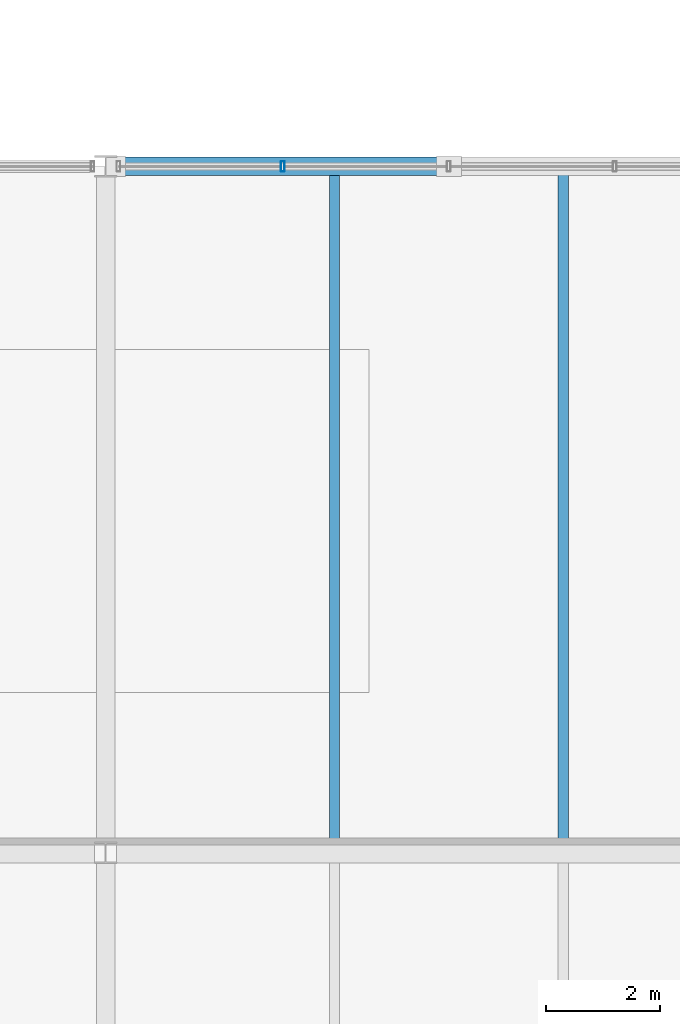
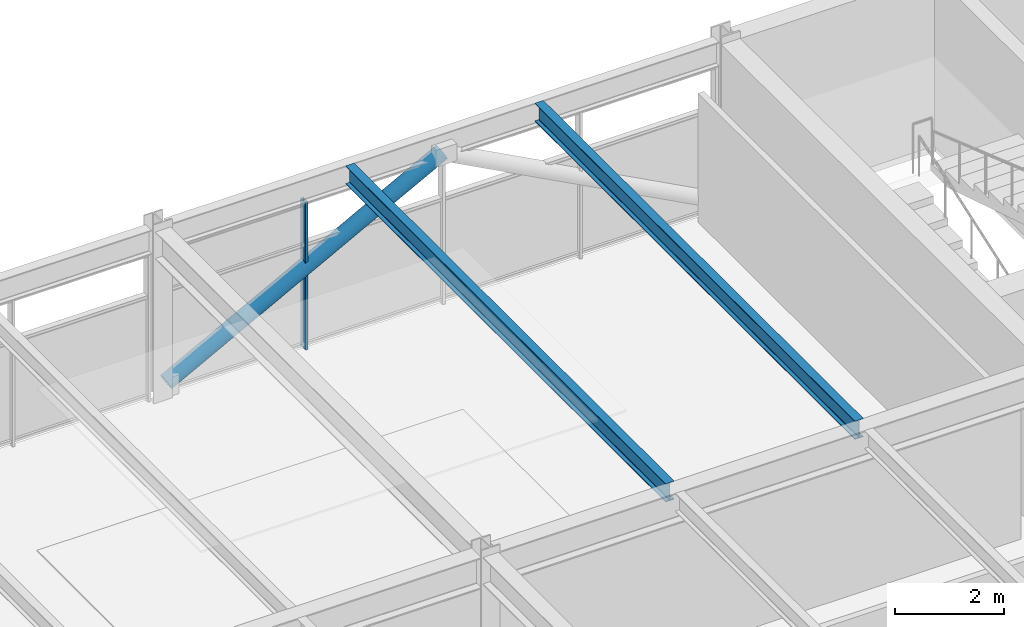
# One storey, part 18 of 49: 2 beams, 2 members, 1 element without a shape of its own.
"""IFC4 building model written with IfcOpenShell, lengths in metres."""

from ifc_helpers import new_model, si_unit, direction, frame, origin, origin_2d, place, context, subcontext, project, spatial, hollow_rectangle, hollow_circle, i_section, extrude, material, material_profile, profile_set, type_object, element, aggregate, save


model = new_model("IFC4")

# Units and contexts
model_context = context("Model", 3, precision=1e-05, world=origin(), true_north=direction((0.0, 1.0)))
body_context = subcontext(model_context, "Body", "Model", "MODEL_VIEW")
ifc_project = project(units=[si_unit("LENGTHUNIT", "METRE"), si_unit("AREAUNIT", "SQUARE_METRE"), si_unit("VOLUMEUNIT", "CUBIC_METRE"), si_unit("PLANEANGLEUNIT", "RADIAN"), si_unit("MASSUNIT", "GRAM", prefix="KILO")], contexts=[model_context])

# Site, building, storey
site_placement = place(None, origin())
site = spatial("IfcSite", under=ifc_project, at=site_placement, CompositionType="ELEMENT")
building_placement = place(site_placement, origin())
building = spatial("IfcBuilding", under=site, at=building_placement, Name="Girod Span Mobility Hub", CompositionType="ELEMENT")
storey_placement = place(building_placement, frame((0.0, 0.0, 37.60009765625)))
storey = spatial("IfcBuildingStorey", under=building, at=storey_placement, Name="L09", CompositionType="ELEMENT", Elevation=37.60009765625)

# Beams
ifc_material_1 = material(Name="Steel A992 Grade 50", Category="steel")
ifc_material_profile_1 = material_profile(ifc_material_1, i_section(OverallWidth=0.178955078125, OverallDepth=0.409912109375, WebThickness=0.0087890625, FlangeThickness=0.014404296875, FilletRadius=0.012939453125, at=origin_2d()), Name="W16X45")
ifc_profile_set_1 = profile_set([ifc_material_profile_1], Name="Steel A992 Grade 50")
beam_type = type_object("IfcBeamType", Name="BM-STL-W16X45", PredefinedType="BEAM", material=ifc_profile_set_1)
for number, where, z_axis, x_axis, name in (
    (1, (40.0, 57.174560546875, 3.6298828125), (0.0, 1.0, 0.0), (-1.0, 0.0, 0.0), "Composite Floorbeam 4/E-1 L09"),
    (2, (44.0, 57.174560546875, 3.6298828125), (0.0, 1.0, 0.0), (-1.0, 0.0, 0.0), "Composite Floorbeam 4/E-2 L09"),
):
    element("IfcBeam", number, at=place(storey_placement, frame(where, z_axis=z_axis, x_axis=x_axis)), inside=storey, type_object=beam_type, Name=name, PredefinedType="BEAM", context=body_context, shape_type="SweptSolid", body=[
        extrude(i_section(OverallWidth=0.178955078125, OverallDepth=0.409912109375, WebThickness=0.0087890625, FlangeThickness=0.014404296875, FilletRadius=0.012939453125, at=origin_2d()), origin(), (0.0, 0.0, 1.0), 11.722412109375),
    ])

# Curtain wall, member
ifc_material_2 = material(Name="Thermally Broken Anodised Aluminium", Category="aluminium")
curtain_wall_type = type_object("IfcCurtainWallType", Name="CW-1161X329", PredefinedType="USERDEFINED", material=ifc_material_2)
curtain_wall_placement = place(storey_placement, origin())
curtain_wall = element("IfcCurtainWall", 3, at=curtain_wall_placement, inside=storey, type_object=curtain_wall_type, Name="Unitised Curtain Wall CW-L09-N04 L09", ObjectType="UNITISED CURTAIN WALL", PredefinedType="USERDEFINED")
ifc_material_3 = material(Name="Thermally Broken Anodised Aluminium", Category="aluminium")
ifc_material_profile_2 = material_profile(ifc_material_3, hollow_rectangle(XDim=0.179931640625, YDim=0.06494140625, WallThickness=0.00390625, InnerFilletRadius=0.00390625, OuterFilletRadius=0.008056640625, at=origin_2d()), Name="CW-ML-65X180")
ifc_profile_set_2 = profile_set([ifc_material_profile_2], Name="Thermally Broken Anodised Aluminium")
member_type_1 = type_object("IfcMemberType", Name="CWM-ML-2", PredefinedType="MULLION", material=ifc_profile_set_2)
member_1_placement = place(storey_placement, frame((39.096923828125, 69.0, 0.0), z_axis=(0.0, 0.0, 1.0), x_axis=(0.0, 1.0, 0.0)))
member_1 = element("IfcMember", 4, at=member_1_placement, type_object=member_type_1, Name="Curtain Wall Mullion CW-L09-N04-M1", PredefinedType="MULLION", context=body_context, shape_type="SweptSolid", body=[
    extrude(hollow_rectangle(XDim=0.179931640625, YDim=0.06494140625, WallThickness=0.00390625, InnerFilletRadius=0.00390625, OuterFilletRadius=0.008056640625, at=origin_2d()), origin(), (0.0, 0.0, 1.0), 3.291015625),
])
aggregate(curtain_wall, [member_1])

# Member
ifc_material_4 = material(Name="Steel HSS A500 Grade C", Category="steel")
ifc_material_profile_3 = material_profile(ifc_material_4, hollow_circle(Radius=0.162109375, WallThickness=0.01171875, at=origin_2d()), Name="HSS324X12.7")
ifc_profile_set_3 = profile_set([ifc_material_profile_3], Name="Steel HSS A500 Grade C")
member_type_2 = type_object("IfcMemberType", Name="MB-BR-HSS324", PredefinedType="BRACE", material=ifc_profile_set_3)
member_2_placement = place(storey_placement, frame((36.177001953125, 69.0, 0.25), z_axis=(0.882652915003, 0.0, 0.470025352122), x_axis=(0.0, 1.0, 0.0)))
element("IfcMember", 5, at=member_2_placement, inside=storey, type_object=member_type_2, Name="Upper Diagrid Brace 4/F-L L09", PredefinedType="BRACE", context=body_context, shape_type="SweptSolid", body=[
    extrude(hollow_circle(Radius=0.162109375, WallThickness=0.01171875, at=origin_2d()), origin(), (0.0, 0.0, 1.0), 6.59716796875),
])

save(model, "model.ifc")
